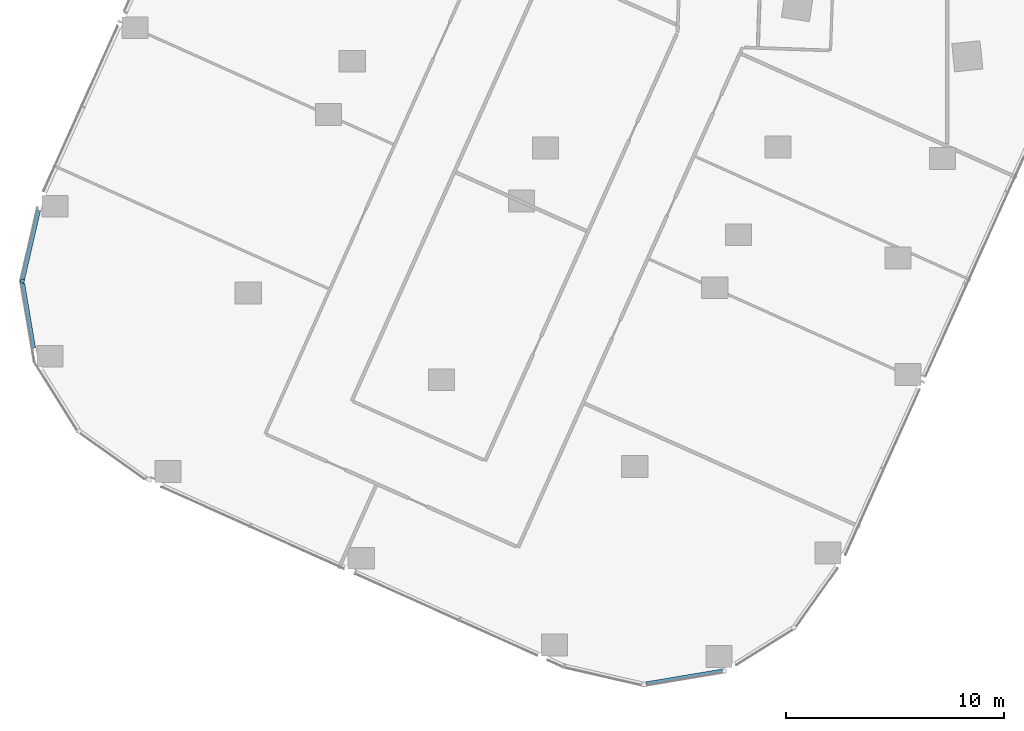
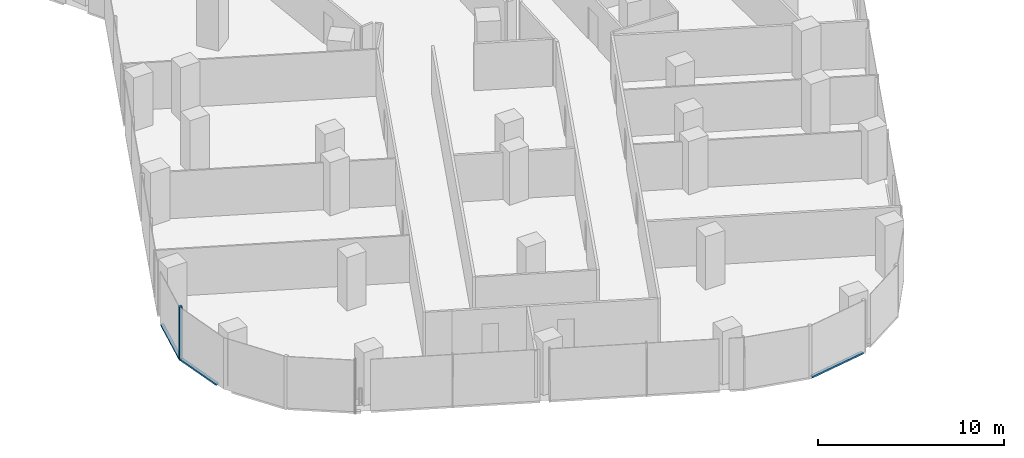
# One storey, part 3 of 34: 4 members, 3 elements without a shape of their own.
"""IFC4 building model written with IfcOpenShell, lengths in metres."""

from ifc_helpers import new_model, si_unit, direction, frame, origin, origin_2d, place, context, subcontext, project, spatial, rectangle, extrude, material, material_profile, profile_set, type_object, element, aggregate, save


model = new_model("IFC4")

# Units and contexts
model_context = context("Model", 3, precision=1e-05, world=origin(), true_north=direction((0.0, 1.0)))
body_context = subcontext(model_context, "Body", "Model", "MODEL_VIEW")
ifc_project = project(units=[si_unit("LENGTHUNIT", "METRE"), si_unit("AREAUNIT", "SQUARE_METRE"), si_unit("VOLUMEUNIT", "CUBIC_METRE"), si_unit("PLANEANGLEUNIT", "RADIAN"), si_unit("MASSUNIT", "GRAM", prefix="KILO")], contexts=[model_context])

# Site, building, storey
site_placement = place(None, origin())
site = spatial("IfcSite", under=ifc_project, at=site_placement, CompositionType="ELEMENT")
building_placement = place(site_placement, origin())
building = spatial("IfcBuilding", under=site, at=building_placement, Name="Orlundy Tower", CompositionType="ELEMENT")
storey_placement = place(building_placement, frame((0.0, 0.0, 127.199951171875)))
storey = spatial("IfcBuildingStorey", under=building, at=storey_placement, Name="L32", CompositionType="ELEMENT", Elevation=127.199951171875)

# Curtain wall, member
ifc_material_1 = material(Name="Aluminium bronze anodised", Category="aluminium")
curtain_wall_type = type_object("IfcCurtainWallType", Name="CW1 wall", PredefinedType="NOTDEFINED", material=ifc_material_1)
curtain_wall_1_placement = place(storey_placement, origin())
curtain_wall_1 = element("IfcCurtainWall", 1, at=curtain_wall_1_placement, inside=storey, type_object=curtain_wall_type, Name="CW1 run 027", PredefinedType="NOTDEFINED")
ifc_material_2 = material(Name="Aluminium bronze anodised", Category="aluminium")
ifc_material_profile_1 = material_profile(ifc_material_2, rectangle(XDim=0.179931640625, YDim=0.179931640625, at=origin_2d()), Name="CW1 corner post 180x180")
ifc_profile_set_1 = profile_set([ifc_material_profile_1], Name="Aluminium bronze anodised")
member_type_1 = type_object("IfcMemberType", Name="CW1 corner post 180x180", PredefinedType="MULLION", material=ifc_profile_set_1)
member_1_placement = place(storey_placement, frame((-40.046630859375, -41.952392578125, -0.39990234375), z_axis=(0.0, 0.0, 1.0), x_axis=(-0.974672322571, 0.223637795584, 0.0)))
member_1 = element("IfcMember", 2, at=member_1_placement, type_object=member_type_1, Name="CW1 mullion 68", PredefinedType="MULLION", context=body_context, shape_type="SweptSolid", body=[
    extrude(rectangle(XDim=0.179931640625, YDim=0.179931640625, at=origin_2d()), origin(), (0.0, 0.0, 1.0), 3.5),
])

curtain_wall_2_placement = place(storey_placement, origin())
curtain_wall_2 = element("IfcCurtainWall", 3, at=curtain_wall_2_placement, inside=storey, type_object=curtain_wall_type, Name="CW1 run 021", PredefinedType="NOTDEFINED")
ifc_material_3 = material(Name="Aluminium bronze anodised", Category="aluminium")
ifc_material_profile_2 = material_profile(ifc_material_3, rectangle(XDim=0.179931640625, YDim=0.1201171875, at=origin_2d()), Name="CW1 transom 180x120")
ifc_profile_set_2 = profile_set([ifc_material_profile_2], Name="Aluminium bronze anodised")
member_type_2 = type_object("IfcMemberType", Name="CW1 transom 180x120", PredefinedType="USERDEFINED", material=ifc_profile_set_2)
member_2_placement = place(storey_placement, frame((-7.97705078125, -59.808837890625, -0.33984375), z_axis=(-0.986059686248, -0.166391992463, 0.0), x_axis=(0.166391992463, -0.986059686248, 0.0)))
member_2 = element("IfcMember", 4, at=member_2_placement, type_object=member_type_2, Name="CW1 transom", ObjectType="TRANSOM", PredefinedType="USERDEFINED", context=body_context, shape_type="SweptSolid", body=[
    extrude(rectangle(XDim=0.179931640625, YDim=0.1201171875, at=origin_2d()), origin(), (0.0, 0.0, 1.0), 3.55517578125),
])
aggregate(curtain_wall_2, [member_2])

curtain_wall_3_placement = place(storey_placement, origin())
curtain_wall_3 = element("IfcCurtainWall", 5, at=curtain_wall_3_placement, inside=storey, type_object=curtain_wall_type, Name="CW1 run 026", PredefinedType="NOTDEFINED")
member_3_placement = place(storey_placement, frame((-39.527099609375, -45.031005859375, -0.33984375), z_axis=(-0.166427336794, 0.986053721441, 0.0), x_axis=(-0.986053721441, -0.166427336794, 0.0)))
member_3 = element("IfcMember", 6, at=member_3_placement, type_object=member_type_2, Name="CW1 transom", ObjectType="TRANSOM", PredefinedType="USERDEFINED", context=body_context, shape_type="SweptSolid", body=[
    extrude(rectangle(XDim=0.179931640625, YDim=0.1201171875, at=origin_2d()), origin(), (0.0, 0.0, 1.0), 3.02490234375),
])
aggregate(curtain_wall_3, [member_3])

# Member
member_4_placement = place(storey_placement, frame((-40.026611328125, -41.864501953125, -0.33984375), z_axis=(0.223633818771, 0.974673235039, 0.0), x_axis=(-0.974673235039, 0.223633818771, 0.0)))
member_4 = element("IfcMember", 7, at=member_4_placement, type_object=member_type_2, Name="CW1 transom", ObjectType="TRANSOM", PredefinedType="USERDEFINED", context=body_context, shape_type="SweptSolid", body=[
    extrude(rectangle(XDim=0.179931640625, YDim=0.1201171875, at=origin_2d()), origin(), (0.0, 0.0, 1.0), 3.24462890625),
])

aggregate(curtain_wall_1, [member_1, member_4])

save(model, "model.ifc")
